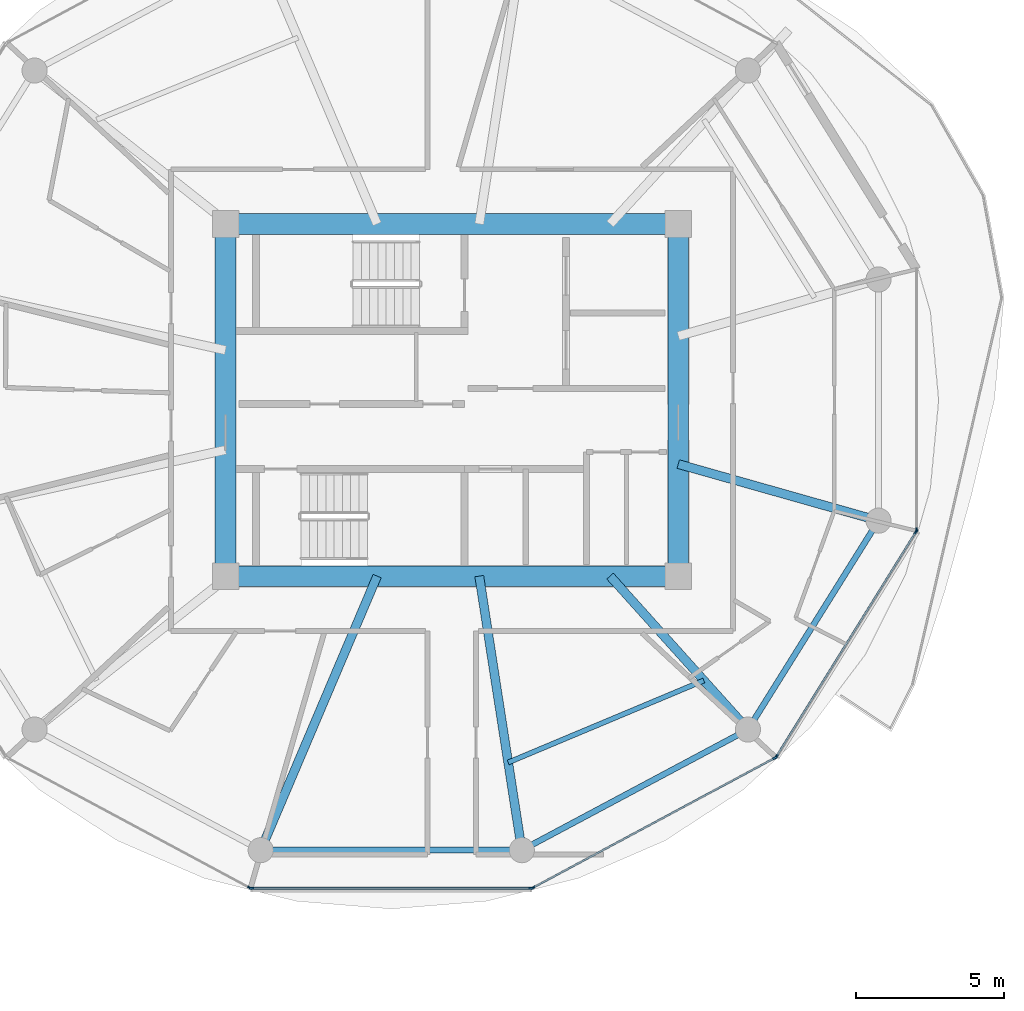
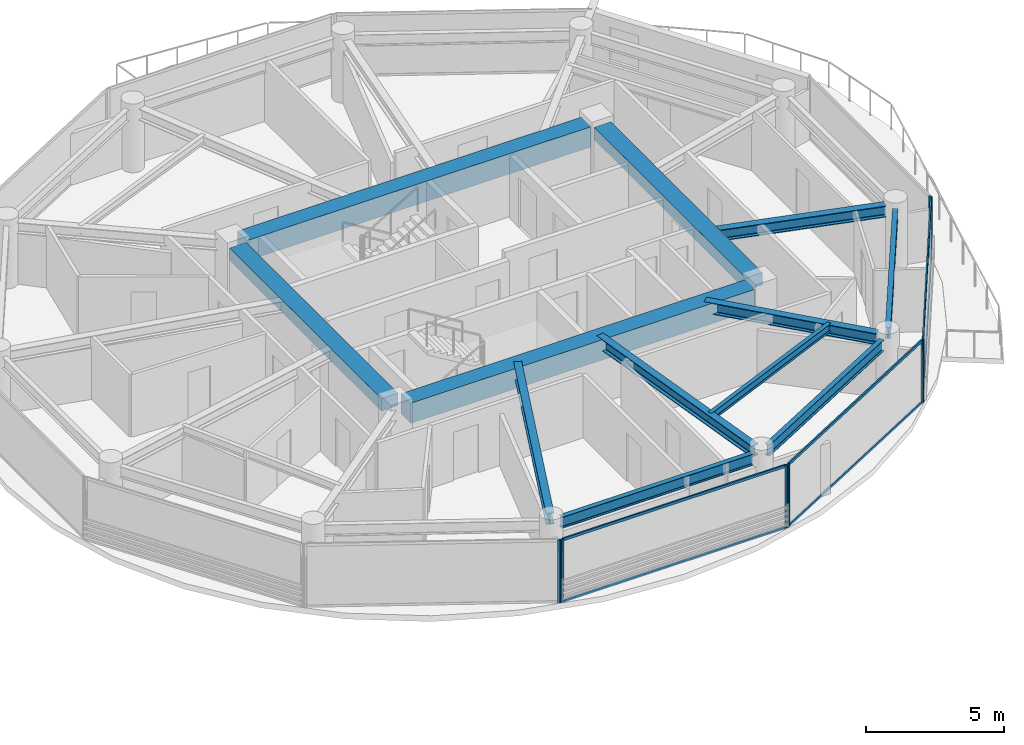
# One storey, part 10 of 24: 14 members, 12 beams, 5 elements without a shape of their own.
"""IFC4 building model written with IfcOpenShell, lengths in metres."""

from ifc_helpers import new_model, si_unit, direction, frame, origin, origin_2d, place, context, subcontext, project, spatial, rectangle, i_section, extrude, source, transform, mapped, material, layer, layer_set, material_profile, profile_set, type_object, type_shapes, element, aggregate, save


model = new_model("IFC4")

# Units and contexts
model_context = context("Model", 3, precision=1e-05, world=origin(), true_north=direction((0.0, 1.0)))
body_context = subcontext(model_context, "Body", "Model", "MODEL_VIEW")
ifc_project = project(units=[si_unit("LENGTHUNIT", "METRE"), si_unit("AREAUNIT", "SQUARE_METRE"), si_unit("VOLUMEUNIT", "CUBIC_METRE"), si_unit("PLANEANGLEUNIT", "RADIAN"), si_unit("MASSUNIT", "GRAM", prefix="KILO")], contexts=[model_context])

# Site, building, storey
site_placement = place(None, origin())
site = spatial("IfcSite", under=ifc_project, at=site_placement, CompositionType="ELEMENT")
building_placement = place(site_placement, origin())
building = spatial("IfcBuilding", under=site, at=building_placement, Name="Norrkilde Senior Care Towers", CompositionType="ELEMENT")
storey_placement = place(building_placement, frame((0.0, 0.0, 105.39990234375)))
storey = spatial("IfcBuildingStorey", under=building, at=storey_placement, Name="L32", CompositionType="ELEMENT", Elevation=105.39990234375)

# Beams
ifc_material_1 = material(Name="Concrete C60/75", Category="concrete")
ifc_material_profile_1 = material_profile(ifc_material_1, rectangle(XDim=0.699951171875, YDim=0.89990234375, at=origin_2d()), Name="RC BM 700x900")
ifc_profile_set_1 = profile_set([ifc_material_profile_1], Name="Concrete C60/75")
beam_type_1 = type_object("IfcBeamType", Name="Core Coupling Girder 700x900", PredefinedType="USERDEFINED", material=ifc_profile_set_1)
shared_shape_1 = source(origin(), body_context, "Body", "SweptSolid", [
    extrude(rectangle(XDim=0.699951171875, YDim=0.89990234375, at=origin_2d()), origin(), (0.0, 0.0, 1.0), 14.43994140625),
])
type_shapes(beam_type_1, [shared_shape_1])
for number, where, z_axis, x_axis, name in (
    (1, (20.780029296875, 5.949951171875, 2.340087890625), (1.0, 0.0, 0.0), (0.0, 1.0, 0.0), "L32 Core E N Coupling Girder"),
    (2, (20.780029296875, -5.949951171875, 2.340087890625), (1.0, 0.0, 0.0), (0.0, 1.0, 0.0), "L32 Core E S Coupling Girder"),
):
    element("IfcBeam", number, at=place(storey_placement, frame(where, z_axis=z_axis, x_axis=x_axis)), inside=storey, type_object=beam_type_1, Name=name, ObjectType="GIRDER", PredefinedType="USERDEFINED", context=body_context, shape_type="MappedRepresentation", body=[
        mapped(shared_shape_1, transform((0.0, 0.0, 0.0), x_axis=(1.0, 0.0, 0.0), y_axis=(0.0, 1.0, 0.0), z_axis=(0.0, 0.0, 1.0), scale=1.0)),
    ])
ifc_material_profile_2 = material_profile(ifc_material_1, rectangle(XDim=0.699951171875, YDim=0.550048828125, at=origin_2d()), Name="RC BM 700x550")
ifc_profile_set_2 = profile_set([ifc_material_profile_2], Name="Concrete C60/75")
beam_type_2 = type_object("IfcBeamType", Name="Core Portal Coupling Beam 700x550", PredefinedType="USERDEFINED", material=ifc_profile_set_2)
shared_shape_2 = source(origin(), body_context, "Body", "SweptSolid", [
    extrude(rectangle(XDim=0.699951171875, YDim=0.550048828125, at=origin_2d()), origin(), (0.0, 0.0, 1.0), 11.0400390625),
])
type_shapes(beam_type_2, [shared_shape_2])
for number, where, z_axis, x_axis, name in (
    (3, (20.35009765625, -5.52001953125, 2.51513671875), (0.0, 1.0, 0.0), (-1.0, 0.0, 0.0), "L32 Core E W Coupling Girder"),
    (4, (35.64990234375, -5.52001953125, 2.51513671875), (0.0, 1.0, 0.0), (-1.0, 0.0, 0.0), "L32 Core E E Coupling Girder"),
):
    element("IfcBeam", number, at=place(storey_placement, frame(where, z_axis=z_axis, x_axis=x_axis)), inside=storey, type_object=beam_type_2, Name=name, ObjectType="GIRDER", PredefinedType="USERDEFINED", context=body_context, shape_type="MappedRepresentation", body=[
        mapped(shared_shape_2, transform((0.0, 0.0, 0.0), x_axis=(1.0, 0.0, 0.0), y_axis=(0.0, 1.0, 0.0), z_axis=(0.0, 0.0, 1.0), scale=1.0)),
    ])
ifc_material_2 = material(Name="Steel S355", Category="steel")
ifc_material_profile_3 = material_profile(ifc_material_2, i_section(OverallWidth=0.199951171875, OverallDepth=0.5, WebThickness=0.01025390625, FlangeThickness=0.01611328125, FilletRadius=0.02099609375, at=origin_2d()), Name="IPE 500")
ifc_profile_set_3 = profile_set([ifc_material_profile_3], Name="Steel S355")
beam_type_3 = type_object("IfcBeamType", Name="Perimeter Ring Spandrel Z2 IPE500", PredefinedType="SPANDREL", material=ifc_profile_set_3)
shared_shape_3 = source(origin(), body_context, "Body", "SweptSolid", [
    extrude(i_section(OverallWidth=0.199951171875, OverallDepth=0.5, WebThickness=0.01025390625, FlangeThickness=0.01611328125, FilletRadius=0.02099609375, at=origin_2d()), origin(), (0.0, 0.0, 1.0), 7.892333984375),
])
beam_1_placement = place(storey_placement, frame((30.70263671875, -15.0322265625, 2.5400390625), z_axis=(0.882350372282, 0.47059305194, 0.0), x_axis=(-0.47059305194, 0.882350372282, 0.0)))
element("IfcBeam", 5, at=beam_1_placement, inside=storey, type_object=beam_type_3, Name="L32 Drum E Perimeter Spandrel 10", PredefinedType="SPANDREL", context=body_context, shape_type="MappedRepresentation", body=[
    mapped(shared_shape_3, transform((0.0, 0.0, 0.0), x_axis=(1.0, 0.0, 0.0), y_axis=(0.0, 1.0, 0.0), z_axis=(0.0, 0.0, 1.0), scale=1.0)),
])
shared_shape_4 = source(origin(), body_context, "Body", "SweptSolid", [
    extrude(i_section(OverallWidth=0.199951171875, OverallDepth=0.5, WebThickness=0.01025390625, FlangeThickness=0.01611328125, FilletRadius=0.02099609375, at=origin_2d()), origin(), (0.0, 0.0, 1.0), 8.0556640625),
])
beam_2_placement = place(storey_placement, frame((21.922119140625, -15.21337890625, 2.5400390625), z_axis=(1.0, 0.0, 0.0), x_axis=(0.0, 1.0, 0.0)))
element("IfcBeam", 6, at=beam_2_placement, inside=storey, type_object=beam_type_3, Name="L32 Drum E Perimeter Spandrel 09", PredefinedType="SPANDREL", context=body_context, shape_type="MappedRepresentation", body=[
    mapped(shared_shape_4, transform((0.0, 0.0, 0.0), x_axis=(1.0, 0.0, 0.0), y_axis=(0.0, 1.0, 0.0), z_axis=(0.0, 0.0, 1.0), scale=1.0)),
])
ifc_material_profile_4 = material_profile(ifc_material_2, i_section(OverallWidth=0.300048828125, OverallDepth=0.5, WebThickness=0.014404296875, FlangeThickness=0.028076171875, FilletRadius=0.027099609375, at=origin_2d()), Name="HEB 500")
ifc_profile_set_4 = profile_set([ifc_material_profile_4], Name="Steel S355")
beam_type_4 = type_object("IfcBeamType", Name="Radial Floor Beam Z2 HEB500", PredefinedType="BEAM", material=ifc_profile_set_4)
shared_shape_5 = source(origin(), body_context, "Body", "SweptSolid", [
    extrude(i_section(OverallWidth=0.300048828125, OverallDepth=0.5, WebThickness=0.014404296875, FlangeThickness=0.028076171875, FilletRadius=0.027099609375, at=origin_2d()), origin(), (0.0, 0.0, 1.0), 9.679443359375),
])
beam_3_placement = place(storey_placement, frame((25.472412109375, -5.949951171875, 2.5400390625), z_axis=(-0.390998033479, -0.920391513333, 0.0), x_axis=(0.920391513333, -0.390998033479, 0.0)))
element("IfcBeam", 7, at=beam_3_placement, inside=storey, type_object=beam_type_4, Name="L32 Drum E Radial Floor Beam 09", PredefinedType="BEAM", context=body_context, shape_type="MappedRepresentation", body=[
    mapped(shared_shape_5, transform((0.0, 0.0, 0.0), x_axis=(1.0, 0.0, 0.0), y_axis=(0.0, 1.0, 0.0), z_axis=(0.0, 0.0, 1.0), scale=1.0)),
])
shared_shape_6 = source(origin(), body_context, "Body", "SweptSolid", [
    extrude(i_section(OverallWidth=0.300048828125, OverallDepth=0.5, WebThickness=0.014404296875, FlangeThickness=0.028076171875, FilletRadius=0.027099609375, at=origin_2d()), origin(), (0.0, 0.0, 1.0), 8.989501953125),
])
beam_4_placement = place(storey_placement, frame((28.924072265625, -5.949951171875, 2.5400390625), z_axis=(0.153471298636, -0.988153105796, 0.0), x_axis=(0.988153105796, 0.153471298636, 0.0)))
element("IfcBeam", 8, at=beam_4_placement, inside=storey, type_object=beam_type_4, Name="L32 Drum E Radial Floor Beam 10", PredefinedType="BEAM", context=body_context, shape_type="MappedRepresentation", body=[
    mapped(shared_shape_6, transform((0.0, 0.0, 0.0), x_axis=(1.0, 0.0, 0.0), y_axis=(0.0, 1.0, 0.0), z_axis=(0.0, 0.0, 1.0), scale=1.0)),
])
shared_shape_7 = source(origin(), body_context, "Body", "SweptSolid", [
    extrude(i_section(OverallWidth=0.199951171875, OverallDepth=0.5, WebThickness=0.01025390625, FlangeThickness=0.01611328125, FilletRadius=0.02099609375, at=origin_2d()), origin(), (0.0, 0.0, 1.0), 7.556396484375),
])
type_shapes(beam_type_3, [shared_shape_3, shared_shape_4, shared_shape_7])
beam_5_placement = place(storey_placement, frame((38.210205078125, -10.810546875, 2.5400390625), z_axis=(0.530004748437, 0.847994673706, 0.0), x_axis=(-0.847994673706, 0.530004748437, 0.0)))
element("IfcBeam", 9, at=beam_5_placement, inside=storey, type_object=beam_type_3, Name="L32 Drum E Perimeter Spandrel 11", PredefinedType="SPANDREL", context=body_context, shape_type="MappedRepresentation", body=[
    mapped(shared_shape_7, transform((0.0, 0.0, 0.0), x_axis=(1.0, 0.0, 0.0), y_axis=(0.0, 1.0, 0.0), z_axis=(0.0, 0.0, 1.0), scale=1.0)),
])
shared_shape_8 = source(origin(), body_context, "Body", "SweptSolid", [
    extrude(i_section(OverallWidth=0.300048828125, OverallDepth=0.5, WebThickness=0.014404296875, FlangeThickness=0.028076171875, FilletRadius=0.027099609375, at=origin_2d()), origin(), (0.0, 0.0, 1.0), 6.587890625),
])
beam_6_placement = place(storey_placement, frame((33.345947265625, -5.949951171875, 2.5400390625), z_axis=(0.668315438605, -0.743877997068, 0.0), x_axis=(0.743877997068, 0.668315438605, 0.0)))
element("IfcBeam", 10, at=beam_6_placement, inside=storey, type_object=beam_type_4, Name="L32 Drum E Radial Floor Beam 11", PredefinedType="BEAM", context=body_context, shape_type="MappedRepresentation", body=[
    mapped(shared_shape_8, transform((0.0, 0.0, 0.0), x_axis=(1.0, 0.0, 0.0), y_axis=(0.0, 1.0, 0.0), z_axis=(0.0, 0.0, 1.0), scale=1.0)),
])
shared_shape_9 = source(origin(), body_context, "Body", "SweptSolid", [
    extrude(i_section(OverallWidth=0.300048828125, OverallDepth=0.5, WebThickness=0.014404296875, FlangeThickness=0.028076171875, FilletRadius=0.027099609375, at=origin_2d()), origin(), (0.0, 0.0, 1.0), 6.6494140625),
])
type_shapes(beam_type_4, [shared_shape_5, shared_shape_6, shared_shape_8, shared_shape_9])
beam_7_placement = place(storey_placement, frame((35.64990234375, -2.162841796875, 2.5400390625), z_axis=(0.962289138357, -0.27202870106, 0.0), x_axis=(0.27202870106, 0.962289138357, 0.0)))
element("IfcBeam", 11, at=beam_7_placement, inside=storey, type_object=beam_type_4, Name="L32 Drum E Radial Floor Beam 12", PredefinedType="BEAM", context=body_context, shape_type="MappedRepresentation", body=[
    mapped(shared_shape_9, transform((0.0, 0.0, 0.0), x_axis=(1.0, 0.0, 0.0), y_axis=(0.0, 1.0, 0.0), z_axis=(0.0, 0.0, 1.0), scale=1.0)),
])
ifc_material_profile_5 = material_profile(ifc_material_2, i_section(OverallWidth=0.169921875, OverallDepth=0.360107421875, WebThickness=0.008056640625, FlangeThickness=0.0126953125, FilletRadius=0.01806640625, at=origin_2d()), Name="IPE 360")
ifc_profile_set_5 = profile_set([ifc_material_profile_5], Name="Steel S355")
beam_type_5 = type_object("IfcBeamType", Name="Secondary Floor Joist IPE360", PredefinedType="JOIST", material=ifc_profile_set_5)
shared_shape_10 = source(origin(), body_context, "Body", "SweptSolid", [
    extrude(i_section(OverallWidth=0.169921875, OverallDepth=0.360107421875, WebThickness=0.008056640625, FlangeThickness=0.0126953125, FilletRadius=0.01806640625, at=origin_2d()), origin(), (0.0, 0.0, 1.0), 7.169921875),
])
type_shapes(beam_type_5, [shared_shape_10])
beam_8_placement = place(storey_placement, frame((29.902587890625, -12.2490234375, 2.610107421875), z_axis=(0.922240600393, 0.386616444279, 0.0), x_axis=(-0.386616444279, 0.922240600393, 0.0)))
element("IfcBeam", 12, at=beam_8_placement, inside=storey, type_object=beam_type_5, Name="L32 Drum E Secondary Floor Joist 4", PredefinedType="JOIST", context=body_context, shape_type="MappedRepresentation", body=[
    mapped(shared_shape_10, transform((0.0, 0.0, 0.0), x_axis=(1.0, 0.0, 0.0), y_axis=(0.0, 1.0, 0.0), z_axis=(0.0, 0.0, 1.0), scale=1.0)),
])

# Curtain wall, member
ifc_material_3 = material(Name="Triple Low-E Insulated Glazing", Category="glass")
ifc_layer = layer(ifc_material_3, 0.195068359375)
ifc_layer_set = layer_set([ifc_layer], Name="Triple Low-E Insulated Glazing")
curtain_wall_type = type_object("IfcCurtainWallType", Name="CW3 Zone 2 Assisted Living Curtain Wall", PredefinedType="NOTDEFINED", material=ifc_layer_set)
curtain_wall_1_placement = place(storey_placement, origin())
curtain_wall_1 = element("IfcCurtainWall", 13, at=curtain_wall_1_placement, inside=storey, type_object=curtain_wall_type, Name="L32 Drum E Curtain Wall 07", PredefinedType="NOTDEFINED")
ifc_material_4 = material(Name="Anodised Aluminium", Category="aluminium")
ifc_material_profile_6 = material_profile(ifc_material_4, rectangle(XDim=0.06494140625, YDim=0.159912109375, at=origin_2d()), Name="ALU MULL 65x160")
ifc_profile_set_6 = profile_set([ifc_material_profile_6], Name="Anodised Aluminium")
member_type_1 = type_object("IfcMemberType", Name="Curtain Wall Mullion Z1-Z2 65x160", PredefinedType="MULLION", material=ifc_profile_set_6)
shared_shape_11 = source(origin(), body_context, "Body", "SweptSolid", [
    extrude(rectangle(XDim=0.06494140625, YDim=0.159912109375, at=origin_2d()), origin(), (0.0, 0.0, 1.0), 2.7900390625),
])
type_shapes(member_type_1, [shared_shape_11])
member_1_placement = place(storey_placement, frame((21.164306640625, -16.482666015625, 0.0), z_axis=(0.0, 0.0, 1.0), x_axis=(-0.472769402511, -0.881186184668, 0.0)))
member_1 = element("IfcMember", 14, at=member_1_placement, type_object=member_type_1, Name="CW-3 mullion 1", PredefinedType="MULLION", context=body_context, shape_type="MappedRepresentation", body=[
    mapped(shared_shape_11, transform((0.0, 0.0, 0.0), x_axis=(1.0, 0.0, 0.0), y_axis=(0.0, 1.0, 0.0), z_axis=(0.0, 0.0, 1.0), scale=1.0)),
])
aggregate(curtain_wall_1, [member_1])

# Curtain wall, members
curtain_wall_2_placement = place(storey_placement, origin())
curtain_wall_2 = element("IfcCurtainWall", 15, at=curtain_wall_2_placement, inside=storey, type_object=curtain_wall_type, Name="L32 Drum E Curtain Wall 08", PredefinedType="NOTDEFINED")
member_2_placement = place(storey_placement, frame((30.674560546875, -16.498046875, 0.0), z_axis=(0.0, 0.0, 1.0), x_axis=(0.0, -1.0, 0.0)))
member_2 = element("IfcMember", 16, at=member_2_placement, type_object=member_type_1, Name="CW-3 mullion 1", PredefinedType="MULLION", context=body_context, shape_type="MappedRepresentation", body=[
    mapped(shared_shape_11, transform((0.0, 0.0, 0.0), x_axis=(1.0, 0.0, 0.0), y_axis=(0.0, 1.0, 0.0), z_axis=(0.0, 0.0, 1.0), scale=1.0)),
])
member_3_placement = place(storey_placement, frame((21.225341796875, -16.498046875, 0.0), z_axis=(0.0, 0.0, 1.0), x_axis=(0.0, -1.0, 0.0)))
member_3 = element("IfcMember", 17, at=member_3_placement, type_object=member_type_1, Name="CW-3 mullion 2", PredefinedType="MULLION", context=body_context, shape_type="MappedRepresentation", body=[
    mapped(shared_shape_11, transform((0.0, 0.0, 0.0), x_axis=(1.0, 0.0, 0.0), y_axis=(0.0, 1.0, 0.0), z_axis=(0.0, 0.0, 1.0), scale=1.0)),
])

curtain_wall_3_placement = place(storey_placement, origin())
curtain_wall_3 = element("IfcCurtainWall", 18, at=curtain_wall_3_placement, inside=storey, type_object=curtain_wall_type, Name="L32 Drum E Curtain Wall 09", PredefinedType="NOTDEFINED")
member_4_placement = place(storey_placement, frame((38.91796875, -12.0927734375, 0.0), z_axis=(0.0, 0.0, 1.0), x_axis=(0.472769402511, -0.881186184668, 0.0)))
member_4 = element("IfcMember", 19, at=member_4_placement, type_object=member_type_1, Name="CW-3 mullion 1", PredefinedType="MULLION", context=body_context, shape_type="MappedRepresentation", body=[
    mapped(shared_shape_11, transform((0.0, 0.0, 0.0), x_axis=(1.0, 0.0, 0.0), y_axis=(0.0, 1.0, 0.0), z_axis=(0.0, 0.0, 1.0), scale=1.0)),
])
member_5_placement = place(storey_placement, frame((30.73583984375, -16.482666015625, 0.0), z_axis=(0.0, 0.0, 1.0), x_axis=(0.472769402511, -0.881186184668, 0.0)))
member_5 = element("IfcMember", 20, at=member_5_placement, type_object=member_type_1, Name="CW-3 mullion 2", PredefinedType="MULLION", context=body_context, shape_type="MappedRepresentation", body=[
    mapped(shared_shape_11, transform((0.0, 0.0, 0.0), x_axis=(1.0, 0.0, 0.0), y_axis=(0.0, 1.0, 0.0), z_axis=(0.0, 0.0, 1.0), scale=1.0)),
])

curtain_wall_4_placement = place(storey_placement, origin())
curtain_wall_4 = element("IfcCurtainWall", 21, at=curtain_wall_4_placement, inside=storey, type_object=curtain_wall_type, Name="L32 Drum E Curtain Wall 10", PredefinedType="NOTDEFINED")
member_6_placement = place(storey_placement, frame((43.6865234375, -4.4482421875, 0.0), z_axis=(0.0, 0.0, 1.0), x_axis=(0.849410171862, -0.527733228002, 0.0)))
member_6 = element("IfcMember", 22, at=member_6_placement, type_object=member_type_1, Name="CW-3 mullion 1", PredefinedType="MULLION", context=body_context, shape_type="MappedRepresentation", body=[
    mapped(shared_shape_11, transform((0.0, 0.0, 0.0), x_axis=(1.0, 0.0, 0.0), y_axis=(0.0, 1.0, 0.0), z_axis=(0.0, 0.0, 1.0), scale=1.0)),
])
member_7_placement = place(storey_placement, frame((38.9638671875, -12.0498046875, 0.0), z_axis=(0.0, 0.0, 1.0), x_axis=(0.849410171862, -0.527733228002, 0.0)))
member_7 = element("IfcMember", 23, at=member_7_placement, type_object=member_type_1, Name="CW-3 mullion 2", PredefinedType="MULLION", context=body_context, shape_type="MappedRepresentation", body=[
    mapped(shared_shape_11, transform((0.0, 0.0, 0.0), x_axis=(1.0, 0.0, 0.0), y_axis=(0.0, 1.0, 0.0), z_axis=(0.0, 0.0, 1.0), scale=1.0)),
])

# Curtain wall, member
curtain_wall_5_placement = place(storey_placement, origin())
curtain_wall_5 = element("IfcCurtainWall", 24, at=curtain_wall_5_placement, inside=storey, type_object=curtain_wall_type, Name="L32 Drum E Curtain Wall 11", PredefinedType="NOTDEFINED")
member_8_placement = place(storey_placement, frame((43.70361328125, -4.38818359375, 0.0), z_axis=(0.0, 0.0, 1.0), x_axis=(1.0, 0.0, 0.0)))
member_8 = element("IfcMember", 25, at=member_8_placement, type_object=member_type_1, Name="CW-3 mullion 2", PredefinedType="MULLION", context=body_context, shape_type="MappedRepresentation", body=[
    mapped(shared_shape_11, transform((0.0, 0.0, 0.0), x_axis=(1.0, 0.0, 0.0), y_axis=(0.0, 1.0, 0.0), z_axis=(0.0, 0.0, 1.0), scale=1.0)),
])
aggregate(curtain_wall_5, [member_8])

# Member
ifc_material_profile_7 = material_profile(ifc_material_4, rectangle(XDim=0.06005859375, YDim=0.1201171875, at=origin_2d()), Name="ALU TRAN 60x120")
ifc_profile_set_7 = profile_set([ifc_material_profile_7], Name="Anodised Aluminium")
member_type_2 = type_object("IfcMemberType", Name="Curtain Wall Transom Typical 60x120", PredefinedType="USERDEFINED", material=ifc_profile_set_7)
shared_shape_12 = source(origin(), body_context, "Body", "SweptSolid", [
    extrude(rectangle(XDim=0.06005859375, YDim=0.1201171875, at=origin_2d()), origin(), (0.0, 0.0, 1.0), 8.88427734375),
])
member_9_placement = place(storey_placement, frame((43.66943359375, -4.475830078125, 0.030029296875), z_axis=(-0.527729466743, -0.849412508697, 0.0), x_axis=(0.849412508697, -0.527729466743, 0.0)))
member_9 = element("IfcMember", 26, at=member_9_placement, type_object=member_type_2, Name="CW-3 transom 1.1", ObjectType="TRANSOM", PredefinedType="USERDEFINED", context=body_context, shape_type="MappedRepresentation", body=[
    mapped(shared_shape_12, transform((0.0, 0.0, 0.0), x_axis=(1.0, 0.0, 0.0), y_axis=(0.0, 1.0, 0.0), z_axis=(0.0, 0.0, 1.0), scale=1.0)),
])

member_10_placement = place(storey_placement, frame((43.66943359375, -4.475830078125, 2.760009765625), z_axis=(-0.527729466743, -0.849412508697, 0.0), x_axis=(0.849412508697, -0.527729466743, 0.0)))
member_10 = element("IfcMember", 27, at=member_10_placement, type_object=member_type_2, Name="CW-3 transom 1.2", ObjectType="TRANSOM", PredefinedType="USERDEFINED", context=body_context, shape_type="MappedRepresentation", body=[
    mapped(shared_shape_12, transform((0.0, 0.0, 0.0), x_axis=(1.0, 0.0, 0.0), y_axis=(0.0, 1.0, 0.0), z_axis=(0.0, 0.0, 1.0), scale=1.0)),
])

aggregate(curtain_wall_4, [member_6, member_7, member_9, member_10])

shared_shape_13 = source(origin(), body_context, "Body", "SweptSolid", [
    extrude(rectangle(XDim=0.06005859375, YDim=0.1201171875, at=origin_2d()), origin(), (0.0, 0.0, 1.0), 9.220458984375),
])
member_11_placement = place(storey_placement, frame((38.889404296875, -12.108154296875, 0.030029296875), z_axis=(-0.881188517866, -0.472765053681, 0.0), x_axis=(0.472765053681, -0.881188517866, 0.0)))
member_11 = element("IfcMember", 28, at=member_11_placement, type_object=member_type_2, Name="CW-3 transom 1.1", ObjectType="TRANSOM", PredefinedType="USERDEFINED", context=body_context, shape_type="MappedRepresentation", body=[
    mapped(shared_shape_13, transform((0.0, 0.0, 0.0), x_axis=(1.0, 0.0, 0.0), y_axis=(0.0, 1.0, 0.0), z_axis=(0.0, 0.0, 1.0), scale=1.0)),
])

member_12_placement = place(storey_placement, frame((38.889404296875, -12.108154296875, 2.760009765625), z_axis=(-0.881188517866, -0.472765053681, 0.0), x_axis=(0.472765053681, -0.881188517866, 0.0)))
member_12 = element("IfcMember", 29, at=member_12_placement, type_object=member_type_2, Name="CW-3 transom 1.2", ObjectType="TRANSOM", PredefinedType="USERDEFINED", context=body_context, shape_type="MappedRepresentation", body=[
    mapped(shared_shape_13, transform((0.0, 0.0, 0.0), x_axis=(1.0, 0.0, 0.0), y_axis=(0.0, 1.0, 0.0), z_axis=(0.0, 0.0, 1.0), scale=1.0)),
])

aggregate(curtain_wall_3, [member_4, member_5, member_11, member_12])

shared_shape_14 = source(origin(), body_context, "Body", "SweptSolid", [
    extrude(rectangle(XDim=0.06005859375, YDim=0.1201171875, at=origin_2d()), origin(), (0.0, 0.0, 1.0), 9.38427734375),
])
type_shapes(member_type_2, [shared_shape_12, shared_shape_13, shared_shape_14])
member_13_placement = place(storey_placement, frame((30.64208984375, -16.498046875, 0.030029296875), z_axis=(-1.0, 0.0, 0.0), x_axis=(0.0, -1.0, 0.0)))
member_13 = element("IfcMember", 30, at=member_13_placement, type_object=member_type_2, Name="CW-3 transom 1.1", ObjectType="TRANSOM", PredefinedType="USERDEFINED", context=body_context, shape_type="MappedRepresentation", body=[
    mapped(shared_shape_14, transform((0.0, 0.0, 0.0), x_axis=(1.0, 0.0, 0.0), y_axis=(0.0, 1.0, 0.0), z_axis=(0.0, 0.0, 1.0), scale=1.0)),
])

member_14_placement = place(storey_placement, frame((30.64208984375, -16.498046875, 2.760009765625), z_axis=(-1.0, 0.0, 0.0), x_axis=(0.0, -1.0, 0.0)))
member_14 = element("IfcMember", 31, at=member_14_placement, type_object=member_type_2, Name="CW-3 transom 1.2", ObjectType="TRANSOM", PredefinedType="USERDEFINED", context=body_context, shape_type="MappedRepresentation", body=[
    mapped(shared_shape_14, transform((0.0, 0.0, 0.0), x_axis=(1.0, 0.0, 0.0), y_axis=(0.0, 1.0, 0.0), z_axis=(0.0, 0.0, 1.0), scale=1.0)),
])

aggregate(curtain_wall_2, [member_2, member_3, member_13, member_14])

save(model, "model.ifc")
